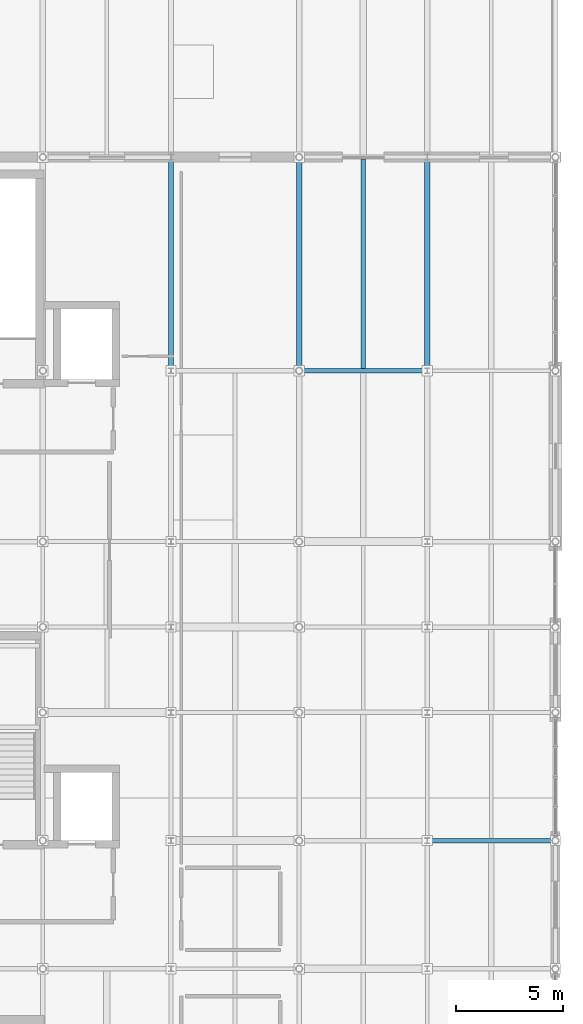
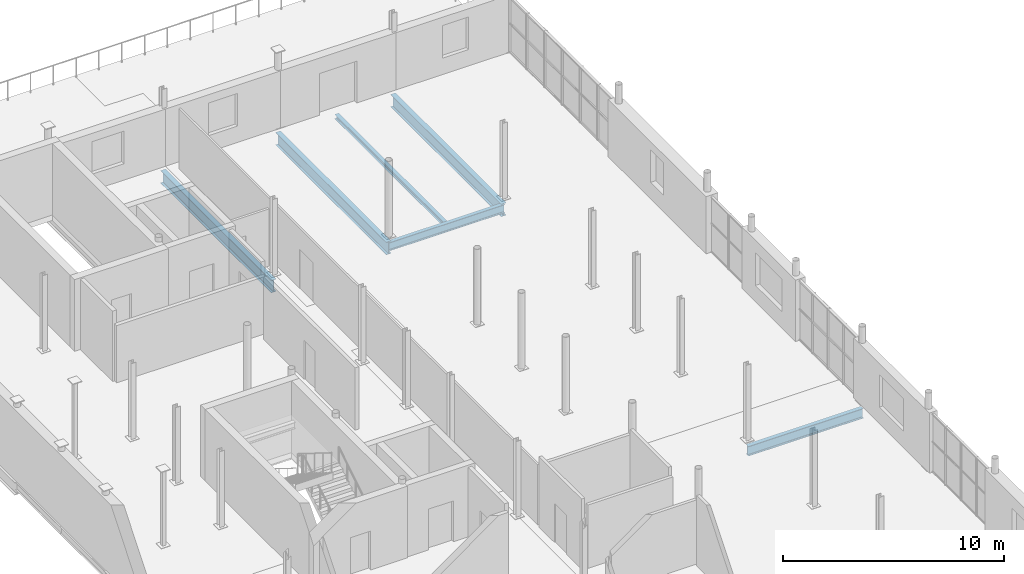
# One storey, part 16 of 30: 6 beams.
"""IFC4 building model written with IfcOpenShell, lengths in metres."""

from ifc_helpers import new_model, si_unit, direction, frame, origin, origin_2d, place, context, subcontext, project, spatial, i_section, extrude, material, material_profile, profile_set, type_object, element, save


model = new_model("IFC4")

# Units and contexts
model_context = context("Model", 3, precision=1e-05, world=origin(), true_north=direction((0.0, 1.0)))
body_context = subcontext(model_context, "Body", "Model", "MODEL_VIEW")
ifc_project = project(units=[si_unit("LENGTHUNIT", "METRE"), si_unit("AREAUNIT", "SQUARE_METRE"), si_unit("VOLUMEUNIT", "CUBIC_METRE"), si_unit("PLANEANGLEUNIT", "RADIAN"), si_unit("MASSUNIT", "GRAM", prefix="KILO")], contexts=[model_context])

# Site, building, storey
site_placement = place(None, origin())
site = spatial("IfcSite", under=ifc_project, at=site_placement, CompositionType="ELEMENT")
building_placement = place(site_placement, origin())
building = spatial("IfcBuilding", under=site, at=building_placement, Name="Verrall Gate Interchange", CompositionType="ELEMENT")
storey_placement = place(building_placement, frame((0.0, 0.0, 19.39990234375)))
storey = spatial("IfcBuildingStorey", under=building, at=storey_placement, Name="L05", CompositionType="ELEMENT", Elevation=19.39990234375)

# Beams
ifc_material_1 = material(Name="Structural Steel CSA G40.21 350WT Cat 4", Category="steel")
ifc_material_profile_1 = material_profile(ifc_material_1, i_section(OverallWidth=0.256103515625, OverallDepth=0.693115234375, WebThickness=0.01318359375, FlangeThickness=0.02001953125, FilletRadius=0.01611328125, at=origin_2d()), Name="W690x170")
ifc_profile_set_1 = profile_set([ifc_material_profile_1], Name="Structural Steel CSA G40.21 350WT Cat 4")
beam_type_1 = type_object("IfcBeamType", Name="B-07 Structural Beam W690x170", PredefinedType="BEAM", material=ifc_profile_set_1)
for number, where, z_axis, x_axis, name in (
    (1, (18.0, 56.0, -0.676513671875), (0.0, 1.0, 0.0), (-1.0, 0.0, 0.0), "L05 Girder BM-L05-2966 (B-07)"),
    (2, (24.0, 56.0, -0.676513671875), (0.0, 1.0, 0.0), (-1.0, 0.0, 0.0), "L05 Girder BM-L05-2978 (B-07)"),
    (3, (30.0, 56.0, -0.676513671875), (0.0, 1.0, 0.0), (-1.0, 0.0, 0.0), "L05 Girder BM-L05-2990 (B-07)"),
):
    element("IfcBeam", number, at=place(storey_placement, frame(where, z_axis=z_axis, x_axis=x_axis)), inside=storey, type_object=beam_type_1, Name=name, PredefinedType="BEAM", context=body_context, shape_type="SweptSolid", body=[
        extrude(i_section(OverallWidth=0.256103515625, OverallDepth=0.693115234375, WebThickness=0.01318359375, FlangeThickness=0.02001953125, FilletRadius=0.01611328125, at=origin_2d()), origin(), (0.0, 0.0, 1.0), 10.0),
    ])
ifc_material_2 = material(Name="Structural Steel CSA G40.21 350W", Category="steel")
ifc_material_profile_2 = material_profile(ifc_material_2, i_section(OverallWidth=0.2109375, OverallDepth=0.5390625, WebThickness=0.01171875, FlangeThickness=0.018798828125, FilletRadius=0.013916015625, at=origin_2d()), Name="W530x109")
ifc_profile_set_2 = profile_set([ifc_material_profile_2], Name="Structural Steel CSA G40.21 350W")
beam_type_2 = type_object("IfcBeamType", Name="B-10 Structural Beam W530x109", PredefinedType="BEAM", material=ifc_profile_set_2)
beam_1_placement = place(storey_placement, frame((30.0, 34.0, -0.599365234375), z_axis=(1.0, 0.0, 0.0), x_axis=(0.0, 1.0, 0.0)))
element("IfcBeam", 4, at=beam_1_placement, inside=storey, type_object=beam_type_2, Name="L05 Girder BM-L05-2884 (B-10)", PredefinedType="BEAM", context=body_context, shape_type="SweptSolid", body=[
    extrude(i_section(OverallWidth=0.2109375, OverallDepth=0.5390625, WebThickness=0.01171875, FlangeThickness=0.018798828125, FilletRadius=0.013916015625, at=origin_2d()), origin(), (0.0, 0.0, 1.0), 6.0),
])
ifc_material_3 = material(Name="Structural Steel CSA G40.21 350W", Category="steel")
ifc_material_profile_3 = material_profile(ifc_material_3, i_section(OverallWidth=0.19189453125, OverallDepth=0.462890625, WebThickness=0.010498046875, FlangeThickness=0.017578125, FilletRadius=0.012939453125, at=origin_2d()), Name="W460x89")
ifc_profile_set_3 = profile_set([ifc_material_profile_3], Name="Structural Steel CSA G40.21 350W")
beam_type_3 = type_object("IfcBeamType", Name="B-11 Structural Beam W460x89", PredefinedType="BEAM", material=ifc_profile_set_3)
beam_2_placement = place(storey_placement, frame((24.0, 56.0, -0.5615234375), z_axis=(1.0, 0.0, 0.0), x_axis=(0.0, 1.0, 0.0)))
element("IfcBeam", 5, at=beam_2_placement, inside=storey, type_object=beam_type_3, Name="L05 Girder BM-L05-2906 (B-11)", PredefinedType="BEAM", context=body_context, shape_type="SweptSolid", body=[
    extrude(i_section(OverallWidth=0.19189453125, OverallDepth=0.462890625, WebThickness=0.010498046875, FlangeThickness=0.017578125, FilletRadius=0.012939453125, at=origin_2d()), origin(), (0.0, 0.0, 1.0), 6.0),
])
ifc_material_4 = material(Name="Structural Steel CSA G40.21 350W", Category="steel")
ifc_material_profile_4 = material_profile(ifc_material_4, i_section(OverallWidth=0.201904296875, OverallDepth=0.2470703125, WebThickness=0.00732421875, FlangeThickness=0.010986328125, FilletRadius=0.010986328125, at=origin_2d()), Name="W250x49")
ifc_profile_set_4 = profile_set([ifc_material_profile_4], Name="Structural Steel CSA G40.21 350W")
beam_type_4 = type_object("IfcBeamType", Name="J-06 Floor Joist W250x49", PredefinedType="JOIST", material=ifc_profile_set_4)
beam_3_placement = place(storey_placement, frame((27.0, 56.095947265625, -0.453369140625), z_axis=(0.0, 1.0, 0.0), x_axis=(-1.0, 0.0, 0.0)))
element("IfcBeam", 6, at=beam_3_placement, inside=storey, type_object=beam_type_4, Name="L05 Secondary Floor Joist JST-L05-3045", PredefinedType="JOIST", context=body_context, shape_type="SweptSolid", body=[
    extrude(i_section(OverallWidth=0.201904296875, OverallDepth=0.2470703125, WebThickness=0.00732421875, FlangeThickness=0.010986328125, FilletRadius=0.010986328125, at=origin_2d()), origin(), (0.0, 0.0, 1.0), 9.80810546875),
])

save(model, "model.ifc")
